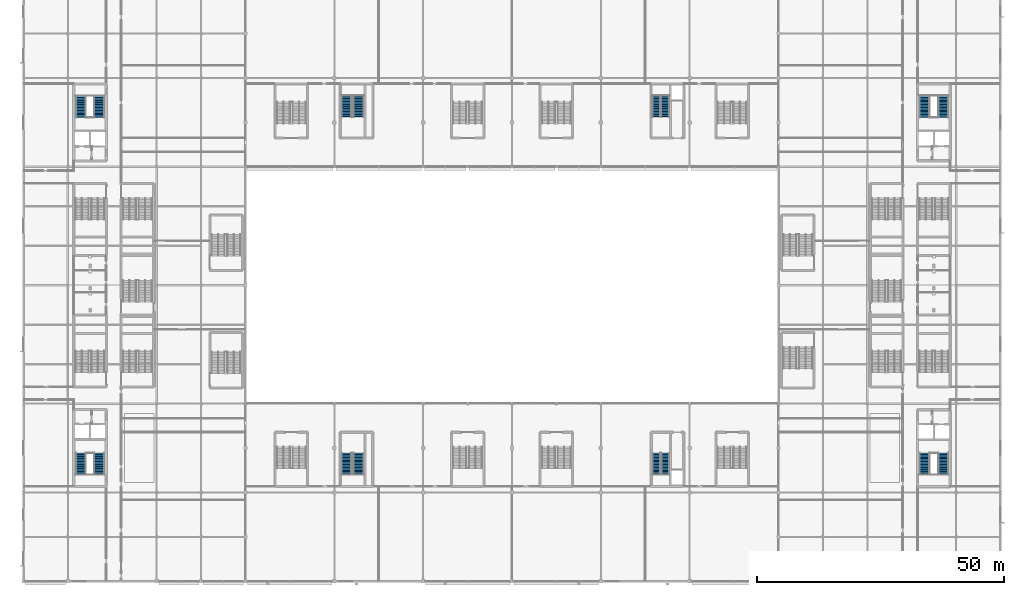
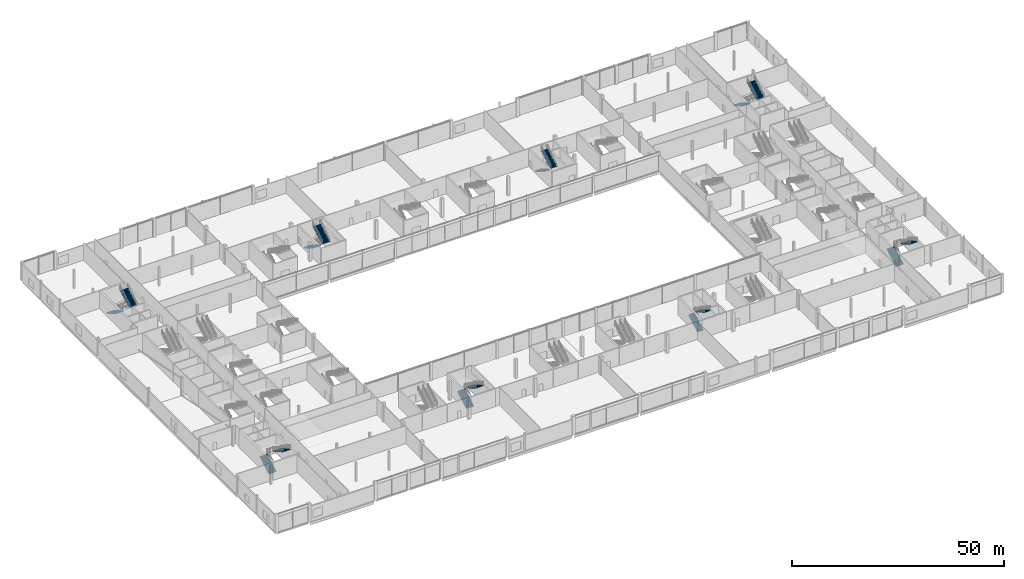
# One storey, part 69 of 111: 16 stair flights, 8 elements without a shape of their own.
"""IFC4 building model written with IfcOpenShell, lengths in metres."""

from ifc_helpers import new_model, si_unit, direction, frame, origin, place, context, subcontext, project, spatial, polyline, outline, extrude, material, type_object, element, aggregate, save


model = new_model("IFC4")

# Units and contexts
model_context = context("Model", 3, precision=1e-05, world=origin(), true_north=direction((0.0, 1.0)))
body_context = subcontext(model_context, "Body", "Model", "MODEL_VIEW")
ifc_project = project(units=[si_unit("LENGTHUNIT", "METRE"), si_unit("AREAUNIT", "SQUARE_METRE"), si_unit("VOLUMEUNIT", "CUBIC_METRE"), si_unit("PLANEANGLEUNIT", "RADIAN"), si_unit("MASSUNIT", "GRAM", prefix="KILO")], contexts=[model_context])

# Site, building, storey
site_placement = place(None, origin())
site = spatial("IfcSite", under=ifc_project, at=site_placement, CompositionType="ELEMENT")
building_placement = place(site_placement, origin())
building = spatial("IfcBuilding", under=site, at=building_placement, Name="Kisiwana Market Hall", CompositionType="ELEMENT")
storey_placement = place(building_placement, frame((0.0, 0.0, 11.39990234375)))
storey = spatial("IfcBuildingStorey", under=building, at=storey_placement, Name="L02", CompositionType="ELEMENT", Elevation=11.39990234375)

# Stair, stair flights
ifc_material_1 = material(Name="Concrete C32/40", Category="concrete")
stair_type = type_object("IfcStairType", Name="ST-POD-5400", PredefinedType="TWO_STRAIGHT_RUN_STAIR", material=ifc_material_1)
stair_1_placement = place(storey_placement, origin())
stair_1 = element("IfcStair", 1, at=stair_1_placement, inside=storey, type_object=stair_type, Name="Escape stair ST-W2-L02", PredefinedType="TWO_STRAIGHT_RUN_STAIR")
ifc_material_2 = material(Name="Concrete C32/40", Category="concrete")
stair_flight_type = type_object("IfcStairFlightType", Name="SF-POD-5400", PredefinedType="STRAIGHT", material=ifc_material_2)
stair_flight_1_placement = place(storey_placement, frame((11.625, 21.674560546875, 0.0), z_axis=(0.0, 0.0, 1.0), x_axis=(0.0, 1.0, 0.0)))
stair_flight_1 = element("IfcStairFlight", 2, at=stair_flight_1_placement, type_object=stair_flight_type, Name="ST-W2-L02 flight 1", NumberOfRisers=16, NumberOfTreads=15, PredefinedType="STRAIGHT", RiserHeight=0.16875, TreadLength=0.29, context=body_context, shape_type="SweptSolid", body=[
    extrude(outline(polyline([(0.0, 0.0), (0.0, 0.168701171875), (0.2900390625, 0.168701171875), (0.2900390625, 0.33740234375), (0.580078125, 0.33740234375), (0.580078125, 0.50634765625), (0.8701171875, 0.50634765625), (0.8701171875, 0.675048828125), (1.159912109375, 0.675048828125), (1.159912109375, 0.84375), (1.449951171875, 0.84375), (1.449951171875, 1.012451171875), (1.739990234375, 1.012451171875), (1.739990234375, 1.18115234375), (2.030029296875, 1.18115234375), (2.030029296875, 1.35009765625), (2.320068359375, 1.35009765625), (2.320068359375, 1.518798828125), (2.610107421875, 1.518798828125), (2.610107421875, 1.6875), (2.89990234375, 1.6875), (2.89990234375, 1.856201171875), (3.18994140625, 1.856201171875), (3.18994140625, 2.02490234375), (3.47998046875, 2.02490234375), (3.47998046875, 2.19384765625), (3.77001953125, 2.19384765625), (3.77001953125, 2.362548828125), (4.06005859375, 2.362548828125), (4.06005859375, 2.53125), (4.35009765625, 2.53125), (4.35009765625, 2.699951171875), (4.35009765625, 2.322998046875), (0.357666015625, 0.0), (0.0, 0.0)])), frame((0.0, 1.050048828125, 0.0), z_axis=(0.0, -1.0, 0.0), x_axis=(1.0, 0.0, 0.0)), (0.0, 0.0, 1.0), 2.10009765625),
])
stair_flight_2_placement = place(storey_placement, frame((15.375, 26.0244140625, 2.7001953125), z_axis=(0.0, 0.0, 1.0), x_axis=(0.0, -1.0, 0.0)))
stair_flight_2 = element("IfcStairFlight", 3, at=stair_flight_2_placement, type_object=stair_flight_type, Name="ST-W2-L02 flight 2", NumberOfRisers=16, NumberOfTreads=15, PredefinedType="STRAIGHT", RiserHeight=0.16875, TreadLength=0.29, context=body_context, shape_type="SweptSolid", body=[
    extrude(outline(polyline([(0.0, 0.0), (0.0, 0.168701171875), (0.2900390625, 0.168701171875), (0.2900390625, 0.33740234375), (0.580078125, 0.33740234375), (0.580078125, 0.50634765625), (0.8701171875, 0.50634765625), (0.8701171875, 0.675048828125), (1.159912109375, 0.675048828125), (1.159912109375, 0.84375), (1.449951171875, 0.84375), (1.449951171875, 1.012451171875), (1.739990234375, 1.012451171875), (1.739990234375, 1.18115234375), (2.030029296875, 1.18115234375), (2.030029296875, 1.35009765625), (2.320068359375, 1.35009765625), (2.320068359375, 1.518798828125), (2.610107421875, 1.518798828125), (2.610107421875, 1.6875), (2.89990234375, 1.6875), (2.89990234375, 1.856201171875), (3.18994140625, 1.856201171875), (3.18994140625, 2.02490234375), (3.47998046875, 2.02490234375), (3.47998046875, 2.19384765625), (3.77001953125, 2.19384765625), (3.77001953125, 2.362548828125), (4.06005859375, 2.362548828125), (4.06005859375, 2.53125), (4.35009765625, 2.53125), (4.35009765625, 2.699951171875), (4.35009765625, 2.322998046875), (0.357666015625, 0.0), (0.0, 0.0)])), frame((0.0, 1.050048828125, 0.0), z_axis=(0.0, -1.0, 0.0), x_axis=(1.0, 0.0, 0.0)), (0.0, 0.0, 1.0), 2.10009765625),
])
aggregate(stair_1, [stair_flight_1, stair_flight_2])

stair_2_placement = place(storey_placement, origin())
stair_2 = element("IfcStair", 4, at=stair_2_placement, inside=storey, type_object=stair_type, Name="Escape stair ST-W1-L02", PredefinedType="TWO_STRAIGHT_RUN_STAIR")
stair_flight_3_placement = place(storey_placement, frame((11.625, 98.325439453125, 0.0), z_axis=(0.0, 0.0, 1.0), x_axis=(0.0, -1.0, 0.0)))
stair_flight_3 = element("IfcStairFlight", 5, at=stair_flight_3_placement, type_object=stair_flight_type, Name="ST-W1-L02 flight 1", NumberOfRisers=16, NumberOfTreads=15, PredefinedType="STRAIGHT", RiserHeight=0.16875, TreadLength=0.29, context=body_context, shape_type="SweptSolid", body=[
    extrude(outline(polyline([(0.0, 0.0), (0.0, 0.168701171875), (0.2900390625, 0.168701171875), (0.2900390625, 0.33740234375), (0.580078125, 0.33740234375), (0.580078125, 0.50634765625), (0.8701171875, 0.50634765625), (0.8701171875, 0.675048828125), (1.159912109375, 0.675048828125), (1.159912109375, 0.84375), (1.449951171875, 0.84375), (1.449951171875, 1.012451171875), (1.739990234375, 1.012451171875), (1.739990234375, 1.18115234375), (2.030029296875, 1.18115234375), (2.030029296875, 1.35009765625), (2.320068359375, 1.35009765625), (2.320068359375, 1.518798828125), (2.610107421875, 1.518798828125), (2.610107421875, 1.6875), (2.89990234375, 1.6875), (2.89990234375, 1.856201171875), (3.18994140625, 1.856201171875), (3.18994140625, 2.02490234375), (3.47998046875, 2.02490234375), (3.47998046875, 2.19384765625), (3.77001953125, 2.19384765625), (3.77001953125, 2.362548828125), (4.06005859375, 2.362548828125), (4.06005859375, 2.53125), (4.35009765625, 2.53125), (4.35009765625, 2.699951171875), (4.35009765625, 2.322998046875), (0.357666015625, 0.0), (0.0, 0.0)])), frame((0.0, 1.050048828125, 0.0), z_axis=(0.0, -1.0, 0.0), x_axis=(1.0, 0.0, 0.0)), (0.0, 0.0, 1.0), 2.10009765625),
])
stair_flight_4_placement = place(storey_placement, frame((15.375, 93.9755859375, 2.7001953125), z_axis=(0.0, 0.0, 1.0), x_axis=(0.0, 1.0, 0.0)))
stair_flight_4 = element("IfcStairFlight", 6, at=stair_flight_4_placement, type_object=stair_flight_type, Name="ST-W1-L02 flight 2", NumberOfRisers=16, NumberOfTreads=15, PredefinedType="STRAIGHT", RiserHeight=0.16875, TreadLength=0.29, context=body_context, shape_type="SweptSolid", body=[
    extrude(outline(polyline([(0.0, 0.0), (0.0, 0.168701171875), (0.2900390625, 0.168701171875), (0.2900390625, 0.33740234375), (0.580078125, 0.33740234375), (0.580078125, 0.50634765625), (0.8701171875, 0.50634765625), (0.8701171875, 0.675048828125), (1.159912109375, 0.675048828125), (1.159912109375, 0.84375), (1.449951171875, 0.84375), (1.449951171875, 1.012451171875), (1.739990234375, 1.012451171875), (1.739990234375, 1.18115234375), (2.030029296875, 1.18115234375), (2.030029296875, 1.35009765625), (2.320068359375, 1.35009765625), (2.320068359375, 1.518798828125), (2.610107421875, 1.518798828125), (2.610107421875, 1.6875), (2.89990234375, 1.6875), (2.89990234375, 1.856201171875), (3.18994140625, 1.856201171875), (3.18994140625, 2.02490234375), (3.47998046875, 2.02490234375), (3.47998046875, 2.19384765625), (3.77001953125, 2.19384765625), (3.77001953125, 2.362548828125), (4.06005859375, 2.362548828125), (4.06005859375, 2.53125), (4.35009765625, 2.53125), (4.35009765625, 2.699951171875), (4.35009765625, 2.322998046875), (0.357666015625, 0.0), (0.0, 0.0)])), frame((0.0, 1.050048828125, 0.0), z_axis=(0.0, -1.0, 0.0), x_axis=(1.0, 0.0, 0.0)), (0.0, 0.0, 1.0), 2.10009765625),
])
aggregate(stair_2, [stair_flight_3, stair_flight_4])

stair_3_placement = place(storey_placement, origin())
stair_3 = element("IfcStair", 7, at=stair_3_placement, inside=storey, type_object=stair_type, Name="Escape stair ST-E2-L02", PredefinedType="TWO_STRAIGHT_RUN_STAIR")
stair_flight_5_placement = place(storey_placement, frame((182.60009765625, 21.6494140625, 0.0), z_axis=(0.0, 0.0, 1.0), x_axis=(0.0, 1.0, 0.0)))
stair_flight_5 = element("IfcStairFlight", 8, at=stair_flight_5_placement, type_object=stair_flight_type, Name="ST-E2-L02 flight 1", NumberOfRisers=16, NumberOfTreads=15, PredefinedType="STRAIGHT", RiserHeight=0.16875, TreadLength=0.29, context=body_context, shape_type="SweptSolid", body=[
    extrude(outline(polyline([(0.0, 0.0), (0.0, 0.168701171875), (0.2900390625, 0.168701171875), (0.2900390625, 0.33740234375), (0.580078125, 0.33740234375), (0.580078125, 0.50634765625), (0.8701171875, 0.50634765625), (0.8701171875, 0.675048828125), (1.159912109375, 0.675048828125), (1.159912109375, 0.84375), (1.449951171875, 0.84375), (1.449951171875, 1.012451171875), (1.739990234375, 1.012451171875), (1.739990234375, 1.18115234375), (2.030029296875, 1.18115234375), (2.030029296875, 1.35009765625), (2.320068359375, 1.35009765625), (2.320068359375, 1.518798828125), (2.610107421875, 1.518798828125), (2.610107421875, 1.6875), (2.89990234375, 1.6875), (2.89990234375, 1.856201171875), (3.18994140625, 1.856201171875), (3.18994140625, 2.02490234375), (3.47998046875, 2.02490234375), (3.47998046875, 2.19384765625), (3.77001953125, 2.19384765625), (3.77001953125, 2.362548828125), (4.06005859375, 2.362548828125), (4.06005859375, 2.53125), (4.35009765625, 2.53125), (4.35009765625, 2.699951171875), (4.35009765625, 2.322998046875), (0.357666015625, 0.0), (0.0, 0.0)])), frame((0.0, 1.050048828125, 0.0), z_axis=(0.0, -1.0, 0.0), x_axis=(1.0, 0.0, 0.0)), (0.0, 0.0, 1.0), 2.10009765625),
])
stair_flight_6_placement = place(storey_placement, frame((186.39990234375, 25.99951171875, 2.7001953125), z_axis=(0.0, 0.0, 1.0), x_axis=(0.0, -1.0, 0.0)))
stair_flight_6 = element("IfcStairFlight", 9, at=stair_flight_6_placement, type_object=stair_flight_type, Name="ST-E2-L02 flight 2", NumberOfRisers=16, NumberOfTreads=15, PredefinedType="STRAIGHT", RiserHeight=0.16875, TreadLength=0.29, context=body_context, shape_type="SweptSolid", body=[
    extrude(outline(polyline([(0.0, 0.0), (0.0, 0.168701171875), (0.2900390625, 0.168701171875), (0.2900390625, 0.33740234375), (0.580078125, 0.33740234375), (0.580078125, 0.50634765625), (0.8701171875, 0.50634765625), (0.8701171875, 0.675048828125), (1.159912109375, 0.675048828125), (1.159912109375, 0.84375), (1.449951171875, 0.84375), (1.449951171875, 1.012451171875), (1.739990234375, 1.012451171875), (1.739990234375, 1.18115234375), (2.030029296875, 1.18115234375), (2.030029296875, 1.35009765625), (2.320068359375, 1.35009765625), (2.320068359375, 1.518798828125), (2.610107421875, 1.518798828125), (2.610107421875, 1.6875), (2.89990234375, 1.6875), (2.89990234375, 1.856201171875), (3.18994140625, 1.856201171875), (3.18994140625, 2.02490234375), (3.47998046875, 2.02490234375), (3.47998046875, 2.19384765625), (3.77001953125, 2.19384765625), (3.77001953125, 2.362548828125), (4.06005859375, 2.362548828125), (4.06005859375, 2.53125), (4.35009765625, 2.53125), (4.35009765625, 2.699951171875), (4.35009765625, 2.322998046875), (0.357666015625, 0.0), (0.0, 0.0)])), frame((0.0, 1.050048828125, 0.0), z_axis=(0.0, -1.0, 0.0), x_axis=(1.0, 0.0, 0.0)), (0.0, 0.0, 1.0), 2.10009765625),
])
aggregate(stair_3, [stair_flight_5, stair_flight_6])

stair_4_placement = place(storey_placement, origin())
stair_4 = element("IfcStair", 10, at=stair_4_placement, inside=storey, type_object=stair_type, Name="Escape stair ST-E1-L02", PredefinedType="TWO_STRAIGHT_RUN_STAIR")
stair_flight_7_placement = place(storey_placement, frame((182.60009765625, 98.3505859375, 0.0), z_axis=(0.0, 0.0, 1.0), x_axis=(0.0, -1.0, 0.0)))
stair_flight_7 = element("IfcStairFlight", 11, at=stair_flight_7_placement, type_object=stair_flight_type, Name="ST-E1-L02 flight 1", NumberOfRisers=16, NumberOfTreads=15, PredefinedType="STRAIGHT", RiserHeight=0.16875, TreadLength=0.29, context=body_context, shape_type="SweptSolid", body=[
    extrude(outline(polyline([(0.0, 0.0), (0.0, 0.168701171875), (0.2900390625, 0.168701171875), (0.2900390625, 0.33740234375), (0.580078125, 0.33740234375), (0.580078125, 0.50634765625), (0.8701171875, 0.50634765625), (0.8701171875, 0.675048828125), (1.159912109375, 0.675048828125), (1.159912109375, 0.84375), (1.449951171875, 0.84375), (1.449951171875, 1.012451171875), (1.739990234375, 1.012451171875), (1.739990234375, 1.18115234375), (2.030029296875, 1.18115234375), (2.030029296875, 1.35009765625), (2.320068359375, 1.35009765625), (2.320068359375, 1.518798828125), (2.610107421875, 1.518798828125), (2.610107421875, 1.6875), (2.89990234375, 1.6875), (2.89990234375, 1.856201171875), (3.18994140625, 1.856201171875), (3.18994140625, 2.02490234375), (3.47998046875, 2.02490234375), (3.47998046875, 2.19384765625), (3.77001953125, 2.19384765625), (3.77001953125, 2.362548828125), (4.06005859375, 2.362548828125), (4.06005859375, 2.53125), (4.35009765625, 2.53125), (4.35009765625, 2.699951171875), (4.35009765625, 2.322998046875), (0.357666015625, 0.0), (0.0, 0.0)])), frame((0.0, 1.050048828125, 0.0), z_axis=(0.0, -1.0, 0.0), x_axis=(1.0, 0.0, 0.0)), (0.0, 0.0, 1.0), 2.10009765625),
])
stair_flight_8_placement = place(storey_placement, frame((186.39990234375, 94.00048828125, 2.7001953125), z_axis=(0.0, 0.0, 1.0), x_axis=(0.0, 1.0, 0.0)))
stair_flight_8 = element("IfcStairFlight", 12, at=stair_flight_8_placement, type_object=stair_flight_type, Name="ST-E1-L02 flight 2", NumberOfRisers=16, NumberOfTreads=15, PredefinedType="STRAIGHT", RiserHeight=0.16875, TreadLength=0.29, context=body_context, shape_type="SweptSolid", body=[
    extrude(outline(polyline([(0.0, 0.0), (0.0, 0.168701171875), (0.2900390625, 0.168701171875), (0.2900390625, 0.33740234375), (0.580078125, 0.33740234375), (0.580078125, 0.50634765625), (0.8701171875, 0.50634765625), (0.8701171875, 0.675048828125), (1.159912109375, 0.675048828125), (1.159912109375, 0.84375), (1.449951171875, 0.84375), (1.449951171875, 1.012451171875), (1.739990234375, 1.012451171875), (1.739990234375, 1.18115234375), (2.030029296875, 1.18115234375), (2.030029296875, 1.35009765625), (2.320068359375, 1.35009765625), (2.320068359375, 1.518798828125), (2.610107421875, 1.518798828125), (2.610107421875, 1.6875), (2.89990234375, 1.6875), (2.89990234375, 1.856201171875), (3.18994140625, 1.856201171875), (3.18994140625, 2.02490234375), (3.47998046875, 2.02490234375), (3.47998046875, 2.19384765625), (3.77001953125, 2.19384765625), (3.77001953125, 2.362548828125), (4.06005859375, 2.362548828125), (4.06005859375, 2.53125), (4.35009765625, 2.53125), (4.35009765625, 2.699951171875), (4.35009765625, 2.322998046875), (0.357666015625, 0.0), (0.0, 0.0)])), frame((0.0, 1.050048828125, 0.0), z_axis=(0.0, -1.0, 0.0), x_axis=(1.0, 0.0, 0.0)), (0.0, 0.0, 1.0), 2.10009765625),
])
aggregate(stair_4, [stair_flight_7, stair_flight_8])

stair_5_placement = place(storey_placement, origin())
stair_5 = element("IfcStair", 13, at=stair_5_placement, inside=storey, type_object=stair_type, Name="Escape stair ST-S1-L02", PredefinedType="TWO_STRAIGHT_RUN_STAIR")
stair_flight_9_placement = place(storey_placement, frame((65.489990234375, 21.62939453125, 0.0), z_axis=(0.0, 0.0, 1.0), x_axis=(0.0, 1.0, 0.0)))
stair_flight_9 = element("IfcStairFlight", 14, at=stair_flight_9_placement, type_object=stair_flight_type, Name="ST-S1-L02 flight 1", NumberOfRisers=16, NumberOfTreads=15, PredefinedType="STRAIGHT", RiserHeight=0.16875, TreadLength=0.29, context=body_context, shape_type="SweptSolid", body=[
    extrude(outline(polyline([(0.0, 0.0), (0.0, 0.168701171875), (0.2900390625, 0.168701171875), (0.2900390625, 0.33740234375), (0.580078125, 0.33740234375), (0.580078125, 0.50634765625), (0.8701171875, 0.50634765625), (0.8701171875, 0.675048828125), (1.159912109375, 0.675048828125), (1.159912109375, 0.84375), (1.449951171875, 0.84375), (1.449951171875, 1.012451171875), (1.739990234375, 1.012451171875), (1.739990234375, 1.18115234375), (2.030029296875, 1.18115234375), (2.030029296875, 1.35009765625), (2.320068359375, 1.35009765625), (2.320068359375, 1.518798828125), (2.610107421875, 1.518798828125), (2.610107421875, 1.6875), (2.89990234375, 1.6875), (2.89990234375, 1.856201171875), (3.18994140625, 1.856201171875), (3.18994140625, 2.02490234375), (3.47998046875, 2.02490234375), (3.47998046875, 2.19384765625), (3.77001953125, 2.19384765625), (3.77001953125, 2.362548828125), (4.06005859375, 2.362548828125), (4.06005859375, 2.53125), (4.35009765625, 2.53125), (4.35009765625, 2.699951171875), (4.35009765625, 2.322998046875), (0.357666015625, 0.0), (0.0, 0.0)])), frame((0.0, 1.050048828125, 0.0), z_axis=(0.0, -1.0, 0.0), x_axis=(1.0, 0.0, 0.0)), (0.0, 0.0, 1.0), 2.10009765625),
])
stair_flight_10_placement = place(storey_placement, frame((67.969970703125, 25.9794921875, 2.7001953125), z_axis=(0.0, 0.0, 1.0), x_axis=(0.0, -1.0, 0.0)))
stair_flight_10 = element("IfcStairFlight", 15, at=stair_flight_10_placement, type_object=stair_flight_type, Name="ST-S1-L02 flight 2", NumberOfRisers=16, NumberOfTreads=15, PredefinedType="STRAIGHT", RiserHeight=0.16875, TreadLength=0.29, context=body_context, shape_type="SweptSolid", body=[
    extrude(outline(polyline([(0.0, 0.0), (0.0, 0.168701171875), (0.2900390625, 0.168701171875), (0.2900390625, 0.33740234375), (0.580078125, 0.33740234375), (0.580078125, 0.50634765625), (0.8701171875, 0.50634765625), (0.8701171875, 0.675048828125), (1.159912109375, 0.675048828125), (1.159912109375, 0.84375), (1.449951171875, 0.84375), (1.449951171875, 1.012451171875), (1.739990234375, 1.012451171875), (1.739990234375, 1.18115234375), (2.030029296875, 1.18115234375), (2.030029296875, 1.35009765625), (2.320068359375, 1.35009765625), (2.320068359375, 1.518798828125), (2.610107421875, 1.518798828125), (2.610107421875, 1.6875), (2.89990234375, 1.6875), (2.89990234375, 1.856201171875), (3.18994140625, 1.856201171875), (3.18994140625, 2.02490234375), (3.47998046875, 2.02490234375), (3.47998046875, 2.19384765625), (3.77001953125, 2.19384765625), (3.77001953125, 2.362548828125), (4.06005859375, 2.362548828125), (4.06005859375, 2.53125), (4.35009765625, 2.53125), (4.35009765625, 2.699951171875), (4.35009765625, 2.322998046875), (0.357666015625, 0.0), (0.0, 0.0)])), frame((0.0, 1.050048828125, 0.0), z_axis=(0.0, -1.0, 0.0), x_axis=(1.0, 0.0, 0.0)), (0.0, 0.0, 1.0), 2.10009765625),
])
aggregate(stair_5, [stair_flight_9, stair_flight_10])

stair_6_placement = place(storey_placement, origin())
stair_6 = element("IfcStair", 16, at=stair_6_placement, inside=storey, type_object=stair_type, Name="Escape stair ST-S2-L02", PredefinedType="TWO_STRAIGHT_RUN_STAIR")
stair_flight_11_placement = place(storey_placement, frame((128.280029296875, 21.62939453125, 0.0), z_axis=(0.0, 0.0, 1.0), x_axis=(0.0, 1.0, 0.0)))
stair_flight_11 = element("IfcStairFlight", 17, at=stair_flight_11_placement, type_object=stair_flight_type, Name="ST-S2-L02 flight 1", NumberOfRisers=16, NumberOfTreads=15, PredefinedType="STRAIGHT", RiserHeight=0.16875, TreadLength=0.29, context=body_context, shape_type="SweptSolid", body=[
    extrude(outline(polyline([(0.0, 0.0), (0.0, 0.168701171875), (0.2900390625, 0.168701171875), (0.2900390625, 0.33740234375), (0.580078125, 0.33740234375), (0.580078125, 0.50634765625), (0.8701171875, 0.50634765625), (0.8701171875, 0.675048828125), (1.159912109375, 0.675048828125), (1.159912109375, 0.84375), (1.449951171875, 0.84375), (1.449951171875, 1.012451171875), (1.739990234375, 1.012451171875), (1.739990234375, 1.18115234375), (2.030029296875, 1.18115234375), (2.030029296875, 1.35009765625), (2.320068359375, 1.35009765625), (2.320068359375, 1.518798828125), (2.610107421875, 1.518798828125), (2.610107421875, 1.6875), (2.89990234375, 1.6875), (2.89990234375, 1.856201171875), (3.18994140625, 1.856201171875), (3.18994140625, 2.02490234375), (3.47998046875, 2.02490234375), (3.47998046875, 2.19384765625), (3.77001953125, 2.19384765625), (3.77001953125, 2.362548828125), (4.06005859375, 2.362548828125), (4.06005859375, 2.53125), (4.35009765625, 2.53125), (4.35009765625, 2.699951171875), (4.35009765625, 2.322998046875), (0.357666015625, 0.0), (0.0, 0.0)])), frame((0.0, 0.83984375, 0.0), z_axis=(0.0, -1.0, 0.0), x_axis=(1.0, 0.0, 0.0)), (0.0, 0.0, 1.0), 1.679931640625),
])
stair_flight_12_placement = place(storey_placement, frame((130.080078125, 25.9794921875, 2.7001953125), z_axis=(0.0, 0.0, 1.0), x_axis=(0.0, -1.0, 0.0)))
stair_flight_12 = element("IfcStairFlight", 18, at=stair_flight_12_placement, type_object=stair_flight_type, Name="ST-S2-L02 flight 2", NumberOfRisers=16, NumberOfTreads=15, PredefinedType="STRAIGHT", RiserHeight=0.16875, TreadLength=0.29, context=body_context, shape_type="SweptSolid", body=[
    extrude(outline(polyline([(0.0, 0.0), (0.0, 0.168701171875), (0.2900390625, 0.168701171875), (0.2900390625, 0.33740234375), (0.580078125, 0.33740234375), (0.580078125, 0.50634765625), (0.8701171875, 0.50634765625), (0.8701171875, 0.675048828125), (1.159912109375, 0.675048828125), (1.159912109375, 0.84375), (1.449951171875, 0.84375), (1.449951171875, 1.012451171875), (1.739990234375, 1.012451171875), (1.739990234375, 1.18115234375), (2.030029296875, 1.18115234375), (2.030029296875, 1.35009765625), (2.320068359375, 1.35009765625), (2.320068359375, 1.518798828125), (2.610107421875, 1.518798828125), (2.610107421875, 1.6875), (2.89990234375, 1.6875), (2.89990234375, 1.856201171875), (3.18994140625, 1.856201171875), (3.18994140625, 2.02490234375), (3.47998046875, 2.02490234375), (3.47998046875, 2.19384765625), (3.77001953125, 2.19384765625), (3.77001953125, 2.362548828125), (4.06005859375, 2.362548828125), (4.06005859375, 2.53125), (4.35009765625, 2.53125), (4.35009765625, 2.699951171875), (4.35009765625, 2.322998046875), (0.357666015625, 0.0), (0.0, 0.0)])), frame((0.0, 0.83984375, 0.0), z_axis=(0.0, -1.0, 0.0), x_axis=(1.0, 0.0, 0.0)), (0.0, 0.0, 1.0), 1.679931640625),
])
aggregate(stair_6, [stair_flight_11, stair_flight_12])

stair_7_placement = place(storey_placement, origin())
stair_7 = element("IfcStair", 19, at=stair_7_placement, inside=storey, type_object=stair_type, Name="Escape stair ST-N1-L02", PredefinedType="TWO_STRAIGHT_RUN_STAIR")
stair_flight_13_placement = place(storey_placement, frame((65.469970703125, 98.390380859375, 0.0), z_axis=(0.0, 0.0, 1.0), x_axis=(0.0, -1.0, 0.0)))
stair_flight_13 = element("IfcStairFlight", 20, at=stair_flight_13_placement, type_object=stair_flight_type, Name="ST-N1-L02 flight 1", NumberOfRisers=16, NumberOfTreads=15, PredefinedType="STRAIGHT", RiserHeight=0.16875, TreadLength=0.29, context=body_context, shape_type="SweptSolid", body=[
    extrude(outline(polyline([(0.0, 0.0), (0.0, 0.168701171875), (0.2900390625, 0.168701171875), (0.2900390625, 0.33740234375), (0.580078125, 0.33740234375), (0.580078125, 0.50634765625), (0.8701171875, 0.50634765625), (0.8701171875, 0.675048828125), (1.159912109375, 0.675048828125), (1.159912109375, 0.84375), (1.449951171875, 0.84375), (1.449951171875, 1.012451171875), (1.739990234375, 1.012451171875), (1.739990234375, 1.18115234375), (2.030029296875, 1.18115234375), (2.030029296875, 1.35009765625), (2.320068359375, 1.35009765625), (2.320068359375, 1.518798828125), (2.610107421875, 1.518798828125), (2.610107421875, 1.6875), (2.89990234375, 1.6875), (2.89990234375, 1.856201171875), (3.18994140625, 1.856201171875), (3.18994140625, 2.02490234375), (3.47998046875, 2.02490234375), (3.47998046875, 2.19384765625), (3.77001953125, 2.19384765625), (3.77001953125, 2.362548828125), (4.06005859375, 2.362548828125), (4.06005859375, 2.53125), (4.35009765625, 2.53125), (4.35009765625, 2.699951171875), (4.35009765625, 2.322998046875), (0.357666015625, 0.0), (0.0, 0.0)])), frame((0.0, 1.050048828125, 0.0), z_axis=(0.0, -1.0, 0.0), x_axis=(1.0, 0.0, 0.0)), (0.0, 0.0, 1.0), 2.10009765625),
])
stair_flight_14_placement = place(storey_placement, frame((67.949951171875, 94.04052734375, 2.7001953125), z_axis=(0.0, 0.0, 1.0), x_axis=(0.0, 1.0, 0.0)))
stair_flight_14 = element("IfcStairFlight", 21, at=stair_flight_14_placement, type_object=stair_flight_type, Name="ST-N1-L02 flight 2", NumberOfRisers=16, NumberOfTreads=15, PredefinedType="STRAIGHT", RiserHeight=0.16875, TreadLength=0.29, context=body_context, shape_type="SweptSolid", body=[
    extrude(outline(polyline([(0.0, 0.0), (0.0, 0.168701171875), (0.2900390625, 0.168701171875), (0.2900390625, 0.33740234375), (0.580078125, 0.33740234375), (0.580078125, 0.50634765625), (0.8701171875, 0.50634765625), (0.8701171875, 0.675048828125), (1.159912109375, 0.675048828125), (1.159912109375, 0.84375), (1.449951171875, 0.84375), (1.449951171875, 1.012451171875), (1.739990234375, 1.012451171875), (1.739990234375, 1.18115234375), (2.030029296875, 1.18115234375), (2.030029296875, 1.35009765625), (2.320068359375, 1.35009765625), (2.320068359375, 1.518798828125), (2.610107421875, 1.518798828125), (2.610107421875, 1.6875), (2.89990234375, 1.6875), (2.89990234375, 1.856201171875), (3.18994140625, 1.856201171875), (3.18994140625, 2.02490234375), (3.47998046875, 2.02490234375), (3.47998046875, 2.19384765625), (3.77001953125, 2.19384765625), (3.77001953125, 2.362548828125), (4.06005859375, 2.362548828125), (4.06005859375, 2.53125), (4.35009765625, 2.53125), (4.35009765625, 2.699951171875), (4.35009765625, 2.322998046875), (0.357666015625, 0.0), (0.0, 0.0)])), frame((0.0, 1.050048828125, 0.0), z_axis=(0.0, -1.0, 0.0), x_axis=(1.0, 0.0, 0.0)), (0.0, 0.0, 1.0), 2.10009765625),
])
aggregate(stair_7, [stair_flight_13, stair_flight_14])

stair_8_placement = place(storey_placement, origin())
stair_8 = element("IfcStair", 22, at=stair_8_placement, inside=storey, type_object=stair_type, Name="Escape stair ST-N2-L02", PredefinedType="TWO_STRAIGHT_RUN_STAIR")
stair_flight_15_placement = place(storey_placement, frame((128.260009765625, 98.390380859375, 0.0), z_axis=(0.0, 0.0, 1.0), x_axis=(0.0, -1.0, 0.0)))
stair_flight_15 = element("IfcStairFlight", 23, at=stair_flight_15_placement, type_object=stair_flight_type, Name="ST-N2-L02 flight 1", NumberOfRisers=16, NumberOfTreads=15, PredefinedType="STRAIGHT", RiserHeight=0.16875, TreadLength=0.29, context=body_context, shape_type="SweptSolid", body=[
    extrude(outline(polyline([(0.0, 0.0), (0.0, 0.168701171875), (0.2900390625, 0.168701171875), (0.2900390625, 0.33740234375), (0.580078125, 0.33740234375), (0.580078125, 0.50634765625), (0.8701171875, 0.50634765625), (0.8701171875, 0.675048828125), (1.159912109375, 0.675048828125), (1.159912109375, 0.84375), (1.449951171875, 0.84375), (1.449951171875, 1.012451171875), (1.739990234375, 1.012451171875), (1.739990234375, 1.18115234375), (2.030029296875, 1.18115234375), (2.030029296875, 1.35009765625), (2.320068359375, 1.35009765625), (2.320068359375, 1.518798828125), (2.610107421875, 1.518798828125), (2.610107421875, 1.6875), (2.89990234375, 1.6875), (2.89990234375, 1.856201171875), (3.18994140625, 1.856201171875), (3.18994140625, 2.02490234375), (3.47998046875, 2.02490234375), (3.47998046875, 2.19384765625), (3.77001953125, 2.19384765625), (3.77001953125, 2.362548828125), (4.06005859375, 2.362548828125), (4.06005859375, 2.53125), (4.35009765625, 2.53125), (4.35009765625, 2.699951171875), (4.35009765625, 2.322998046875), (0.357666015625, 0.0), (0.0, 0.0)])), frame((0.0, 0.83984375, 0.0), z_axis=(0.0, -1.0, 0.0), x_axis=(1.0, 0.0, 0.0)), (0.0, 0.0, 1.0), 1.679931640625),
])
stair_flight_16_placement = place(storey_placement, frame((130.06005859375, 94.04052734375, 2.7001953125), z_axis=(0.0, 0.0, 1.0), x_axis=(0.0, 1.0, 0.0)))
stair_flight_16 = element("IfcStairFlight", 24, at=stair_flight_16_placement, type_object=stair_flight_type, Name="ST-N2-L02 flight 2", NumberOfRisers=16, NumberOfTreads=15, PredefinedType="STRAIGHT", RiserHeight=0.16875, TreadLength=0.29, context=body_context, shape_type="SweptSolid", body=[
    extrude(outline(polyline([(0.0, 0.0), (0.0, 0.168701171875), (0.2900390625, 0.168701171875), (0.2900390625, 0.33740234375), (0.580078125, 0.33740234375), (0.580078125, 0.50634765625), (0.8701171875, 0.50634765625), (0.8701171875, 0.675048828125), (1.159912109375, 0.675048828125), (1.159912109375, 0.84375), (1.449951171875, 0.84375), (1.449951171875, 1.012451171875), (1.739990234375, 1.012451171875), (1.739990234375, 1.18115234375), (2.030029296875, 1.18115234375), (2.030029296875, 1.35009765625), (2.320068359375, 1.35009765625), (2.320068359375, 1.518798828125), (2.610107421875, 1.518798828125), (2.610107421875, 1.6875), (2.89990234375, 1.6875), (2.89990234375, 1.856201171875), (3.18994140625, 1.856201171875), (3.18994140625, 2.02490234375), (3.47998046875, 2.02490234375), (3.47998046875, 2.19384765625), (3.77001953125, 2.19384765625), (3.77001953125, 2.362548828125), (4.06005859375, 2.362548828125), (4.06005859375, 2.53125), (4.35009765625, 2.53125), (4.35009765625, 2.699951171875), (4.35009765625, 2.322998046875), (0.357666015625, 0.0), (0.0, 0.0)])), frame((0.0, 0.83984375, 0.0), z_axis=(0.0, -1.0, 0.0), x_axis=(1.0, 0.0, 0.0)), (0.0, 0.0, 1.0), 1.679931640625),
])
aggregate(stair_8, [stair_flight_15, stair_flight_16])

save(model, "model.ifc")
